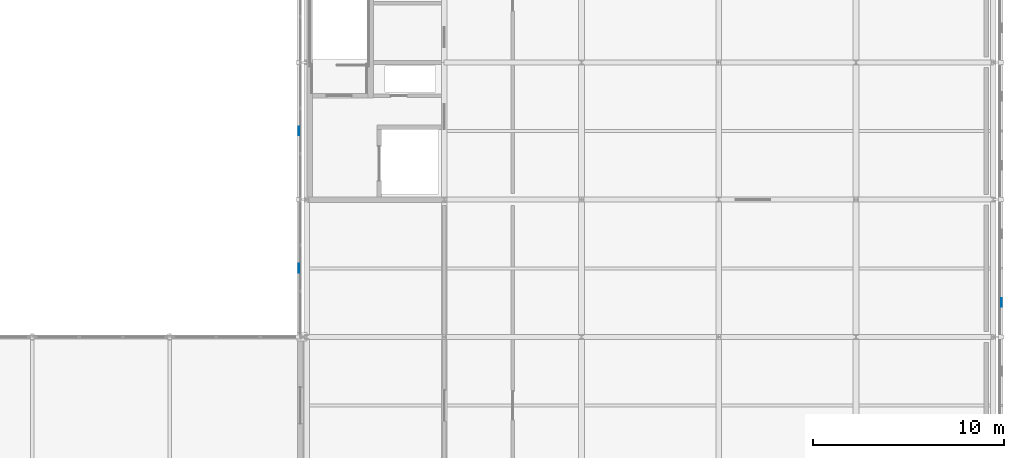
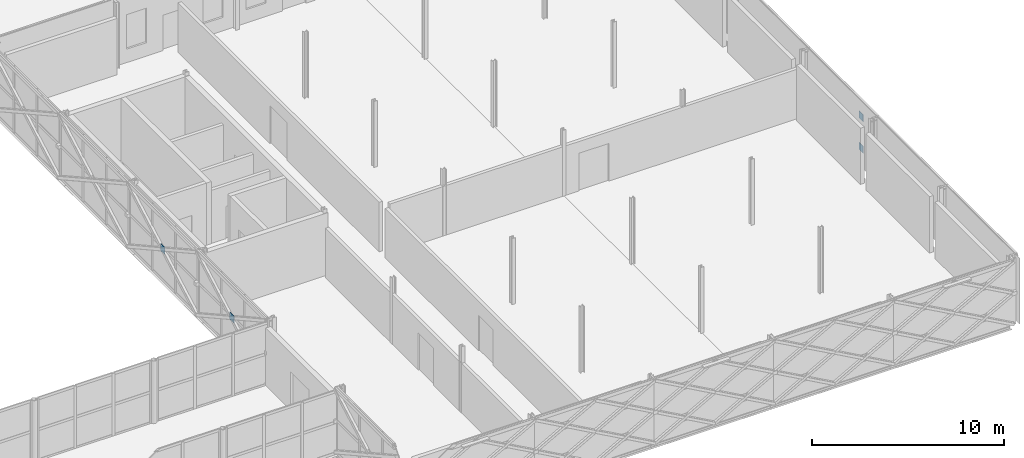
# One storey, part 98 of 126: 4 plates.
"""IFC4 building model written with IfcOpenShell, lengths in metres."""

from ifc_helpers import new_model, si_unit, direction, frame, origin, origin_2d, place, context, subcontext, project, spatial, rectangle, extrude, material, layer, layer_set, type_object, element, save


model = new_model("IFC4")

# Units and contexts
model_context = context("Model", 3, precision=1e-05, world=origin(), true_north=direction((0.0, 1.0)))
body_context = subcontext(model_context, "Body", "Model", "MODEL_VIEW")
ifc_project = project(units=[si_unit("LENGTHUNIT", "METRE"), si_unit("AREAUNIT", "SQUARE_METRE"), si_unit("VOLUMEUNIT", "CUBIC_METRE"), si_unit("PLANEANGLEUNIT", "RADIAN"), si_unit("MASSUNIT", "GRAM", prefix="KILO")], contexts=[model_context])

# Site, building, storey
site_placement = place(None, origin())
site = spatial("IfcSite", under=ifc_project, at=site_placement, CompositionType="ELEMENT")
building_placement = place(site_placement, origin())
building = spatial("IfcBuilding", under=site, at=building_placement, Name="Zlatovets Crest Museum", CompositionType="ELEMENT")
storey_placement = place(building_placement, frame((0.0, 0.0, 8.699951171875)))
storey = spatial("IfcBuildingStorey", under=building, at=storey_placement, Name="L02", CompositionType="ELEMENT", Elevation=8.699951171875)

# Plates
ifc_material = material(Name="Structural steel S355J2", Category="steel")
ifc_layer = layer(ifc_material, 0.02001953125)
ifc_layer_set = layer_set([ifc_layer], Name="Structural steel S355J2")
plate_type = type_object("IfcPlateType", Name="Gusset_GP-04", PredefinedType="USERDEFINED", material=ifc_layer_set)
for number, where, z_axis, x_axis, name in (
    (1, (166.02001953125, 30.60009765625, 0.875), (0.0, 0.0, 1.0), (1.0, 0.0, 0.0), "X-Brace Crossing Node Gusset Plate GP-04"),
    (2, (166.02001953125, 30.60009765625, 2.875), (0.0, 0.0, 1.0), (1.0, 0.0, 0.0), "X-Brace Crossing Node Gusset Plate GP-04"),
    (3, (129.179931640625, 39.60009765625, 1.875), (0.0, 0.0, 1.0), (1.0, 0.0, 0.0), "X-Brace Crossing Node Gusset Plate GP-04"),
    (4, (129.179931640625, 32.39990234375, 1.875), (0.0, 0.0, 1.0), (1.0, 0.0, 0.0), "X-Brace Crossing Node Gusset Plate GP-04"),
):
    element("IfcPlate", number, at=place(storey_placement, frame(where, z_axis=z_axis, x_axis=x_axis)), inside=storey, type_object=plate_type, Name=name, ObjectType="GUSSET", PredefinedType="USERDEFINED", context=body_context, shape_type="SweptSolid", body=[
        extrude(rectangle(XDim=0.02001953125, YDim=0.449951171875, at=origin_2d()), origin(), (0.0, 0.0, 1.0), 0.449951171875),
    ])

save(model, "model.ifc")
